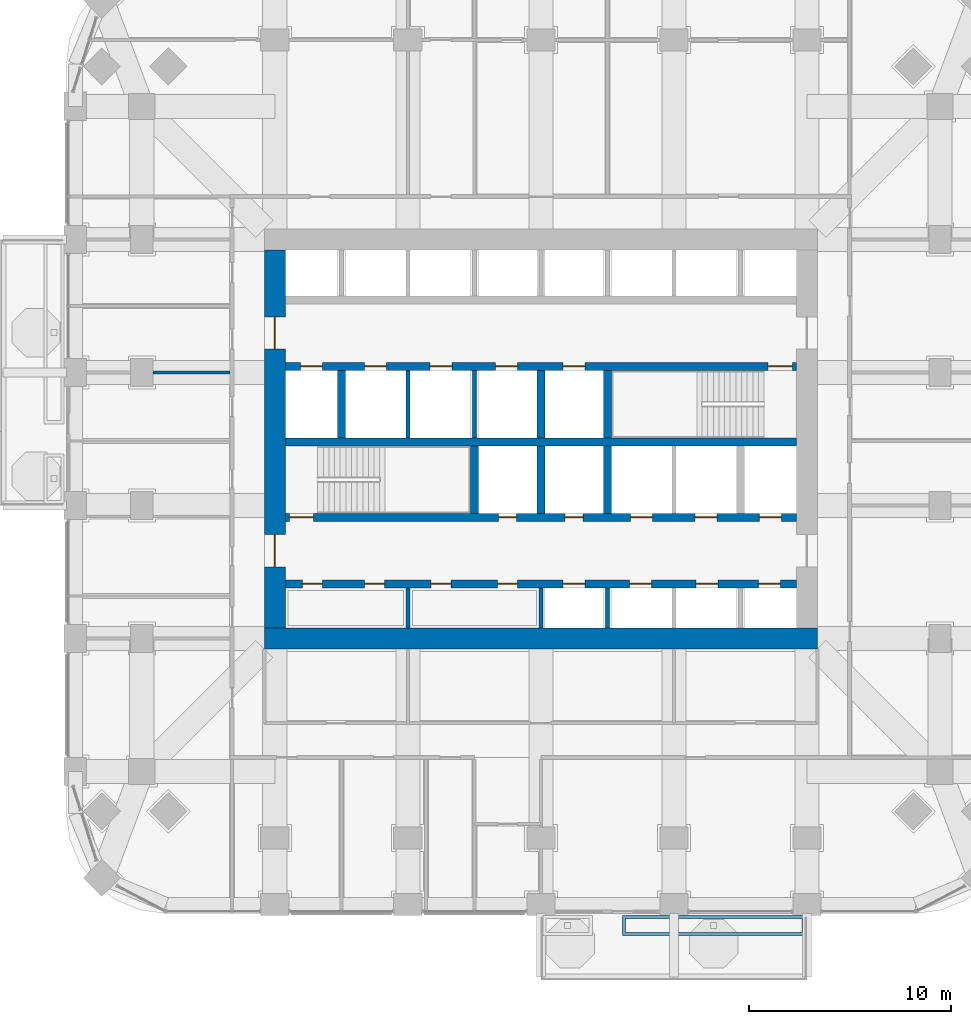
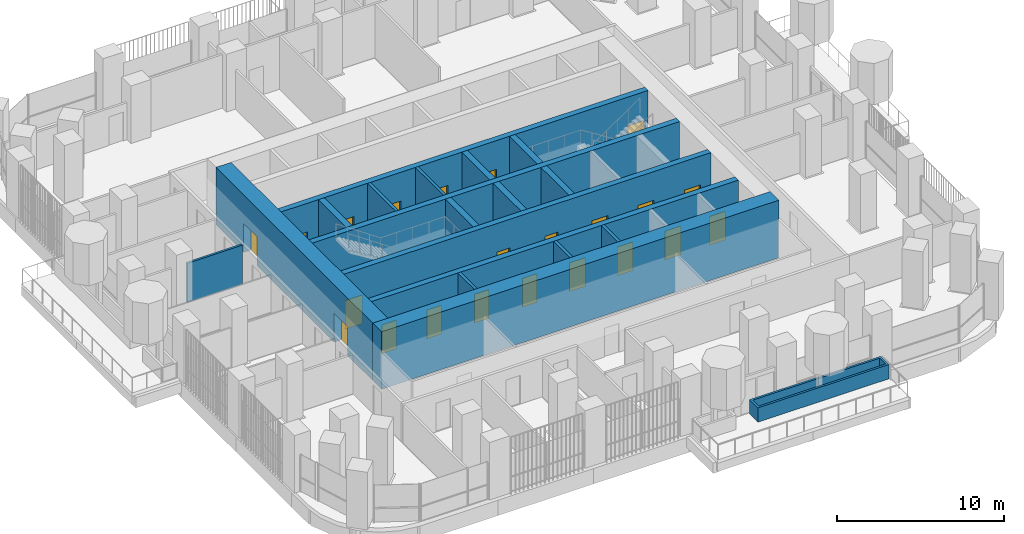
# One storey, part 15 of 22: 22 doors, 19 walls, 22 openings.
"""IFC4 building model written with IfcOpenShell, lengths in metres."""

from ifc_helpers import new_model, si_unit, direction, frame, frame_2d, origin, place, context, subcontext, project, spatial, polyline, rectangle, outline, extrude, material, layer, layer_set, type_object, element, fill, save


model = new_model("IFC4")

# Units and contexts
model_context = context("Model", 3, precision=1e-05, world=origin(), true_north=direction((0.0, 1.0)))
body_context = subcontext(model_context, "Body", "Model", "MODEL_VIEW")
ifc_project = project(units=[si_unit("LENGTHUNIT", "METRE"), si_unit("AREAUNIT", "SQUARE_METRE"), si_unit("VOLUMEUNIT", "CUBIC_METRE"), si_unit("PLANEANGLEUNIT", "RADIAN"), si_unit("MASSUNIT", "GRAM", prefix="KILO")], contexts=[model_context])

# Site, building, storey
site_placement = place(None, origin())
site = spatial("IfcSite", under=ifc_project, at=site_placement, CompositionType="ELEMENT")
building_placement = place(site_placement, origin())
building = spatial("IfcBuilding", under=site, at=building_placement, Name="Cobogo Forest Laboratory Tower", CompositionType="ELEMENT")
storey_placement = place(building_placement, frame((0.0, 0.0, 111.60009765625)))
storey = spatial("IfcBuildingStorey", under=building, at=storey_placement, Name="L25", CompositionType="ELEMENT", Elevation=111.60009765625)

# Wall, openings, doors
ifc_material_1 = material(Name="Concrete HA-50 (C50/60)", Category="concrete")
ifc_layer_1 = layer(ifc_material_1, 0.39990234375)
ifc_layer_set_1 = layer_set([ifc_layer_1], Name="CI400 core inner wall 400")
wall_type_1 = type_object("IfcWallType", Name="CI400 core inner wall 400", PredefinedType="SHEAR", material=ifc_layer_set_1)
wall_1_placement = place(storey_placement, frame((13.72509765625, 15.89990234375, 0.0), z_axis=(0.0, 0.0, 1.0), x_axis=(1.0, 0.0, 0.0)))
wall_1 = element("IfcWall", 1, at=wall_1_placement, inside=storey, type_object=wall_type_1, Name="Core wall CI-15.9 L25", PredefinedType="SHEAR", context=body_context, shape_type="SweptSolid", body=[
    extrude(rectangle(XDim=25.349853515625, YDim=0.39990234375, at=frame_2d((12.6748046875, 0.0))), origin(), (0.0, 0.0, 1.0), 4.199951171875),
])
opening_1_placement = place(wall_1_placement, frame((0.83740234375, 0.0, 0.0)))
opening_1 = element("IfcOpeningElement", 2, at=opening_1_placement, cuts=wall_1, Name="Opening L25-D13", PredefinedType="OPENING", context=body_context, shape_type="SweptSolid", body=[
    extrude(rectangle(XDim=1.0, YDim=2.10009765625, at=frame_2d((0.5, 1.050048828125))), frame((0.0, 0.2099609375, 0.0), z_axis=(0.0, -1.0, 0.0), x_axis=(1.0, 0.0, 0.0)), (0.0, 0.0, 1.0), 0.419921875),
])
opening_2_placement = place(wall_1_placement, frame((3.925048828125, 0.0, 0.0)))
opening_2 = element("IfcOpeningElement", 3, at=opening_2_placement, cuts=wall_1, Name="Opening L25-D14", PredefinedType="OPENING", context=body_context, shape_type="SweptSolid", body=[
    extrude(rectangle(XDim=1.0, YDim=2.10009765625, at=frame_2d((0.5, 1.050048828125))), frame((0.0, 0.2099609375, 0.0), z_axis=(0.0, -1.0, 0.0), x_axis=(1.0, 0.0, 0.0)), (0.0, 0.0, 1.0), 0.419921875),
])
opening_3_placement = place(wall_1_placement, frame((7.22509765625, 0.0, 0.0)))
opening_3 = element("IfcOpeningElement", 4, at=opening_3_placement, cuts=wall_1, Name="Opening L25-D15", PredefinedType="OPENING", context=body_context, shape_type="SweptSolid", body=[
    extrude(rectangle(XDim=1.0, YDim=2.10009765625, at=frame_2d((0.5, 1.050048828125))), frame((0.0, 0.2099609375, 0.0), z_axis=(0.0, -1.0, 0.0), x_axis=(1.0, 0.0, 0.0)), (0.0, 0.0, 1.0), 0.419921875),
])
opening_4_placement = place(wall_1_placement, frame((10.52490234375, 0.0, 0.0)))
opening_4 = element("IfcOpeningElement", 5, at=opening_4_placement, cuts=wall_1, Name="Opening L25-D16", PredefinedType="OPENING", context=body_context, shape_type="SweptSolid", body=[
    extrude(rectangle(XDim=1.0, YDim=2.10009765625, at=frame_2d((0.5, 1.050048828125))), frame((0.0, 0.2099609375, 0.0), z_axis=(0.0, -1.0, 0.0), x_axis=(1.0, 0.0, 0.0)), (0.0, 0.0, 1.0), 0.419921875),
])
opening_5_placement = place(wall_1_placement, frame((13.77490234375, 0.0, 0.0)))
opening_5 = element("IfcOpeningElement", 6, at=opening_5_placement, cuts=wall_1, Name="Opening L25-LD-LB1", PredefinedType="OPENING", context=body_context, shape_type="SweptSolid", body=[
    extrude(rectangle(XDim=1.10009765625, YDim=2.10009765625, at=frame_2d((0.550048828125, 1.050048828125))), frame((0.0, 0.2099609375, 0.0), z_axis=(0.0, -1.0, 0.0), x_axis=(1.0, 0.0, 0.0)), (0.0, 0.0, 1.0), 0.419921875),
])
opening_6_placement = place(wall_1_placement, frame((17.074951171875, 0.0, 0.0)))
opening_6 = element("IfcOpeningElement", 7, at=opening_6_placement, cuts=wall_1, Name="Opening L25-LD-LB2", PredefinedType="OPENING", context=body_context, shape_type="SweptSolid", body=[
    extrude(rectangle(XDim=1.10009765625, YDim=2.10009765625, at=frame_2d((0.550048828125, 1.050048828125))), frame((0.0, 0.2099609375, 0.0), z_axis=(0.0, -1.0, 0.0), x_axis=(1.0, 0.0, 0.0)), (0.0, 0.0, 1.0), 0.419921875),
])
opening_7_placement = place(wall_1_placement, frame((20.375, 0.0, 0.0)))
opening_7 = element("IfcOpeningElement", 8, at=opening_7_placement, cuts=wall_1, Name="Opening L25-LD-LB3", PredefinedType="OPENING", context=body_context, shape_type="SweptSolid", body=[
    extrude(rectangle(XDim=1.10009765625, YDim=2.10009765625, at=frame_2d((0.550048828125, 1.050048828125))), frame((0.0, 0.2099609375, 0.0), z_axis=(0.0, -1.0, 0.0), x_axis=(1.0, 0.0, 0.0)), (0.0, 0.0, 1.0), 0.419921875),
])
opening_8_placement = place(wall_1_placement, frame((23.46240234375, 0.0, 0.0)))
opening_8 = element("IfcOpeningElement", 9, at=opening_8_placement, cuts=wall_1, Name="Opening L25-LD-LB4", PredefinedType="OPENING", context=body_context, shape_type="SweptSolid", body=[
    extrude(rectangle(XDim=1.10009765625, YDim=2.10009765625, at=frame_2d((0.550048828125, 1.050048828125))), frame((0.0, 0.2099609375, 0.0), z_axis=(0.0, -1.0, 0.0), x_axis=(1.0, 0.0, 0.0)), (0.0, 0.0, 1.0), 0.419921875),
])
ifc_material_2 = material(Name="Steel fire door", Category="steel")
door_type_1 = type_object("IfcDoorType", Name="FD1 fire door 1000 EI2 60", OperationType="SINGLE_SWING_LEFT", PredefinedType="DOOR", material=ifc_material_2)
door_1_placement = place(opening_1_placement, origin())
door_1 = element("IfcDoor", 10, at=door_1_placement, inside=storey, type_object=door_type_1, Name="Door L25-SH-LA1", OperationType="SINGLE_SWING_LEFT", OverallHeight=2.10009765625, OverallWidth=1.0, PredefinedType="DOOR", context=body_context, shape_type="SweptSolid", body=[
    extrude(rectangle(XDim=1.0, YDim=2.10009765625, at=frame_2d((0.5, 1.050048828125))), frame((0.0, 0.02490234375, 0.0), z_axis=(0.0, -1.0, 0.0), x_axis=(1.0, 0.0, 0.0)), (0.0, 0.0, 1.0), 0.050048828125),
])
fill(opening_1, door_1)
door_2_placement = place(opening_2_placement, origin())
door_2 = element("IfcDoor", 11, at=door_2_placement, inside=storey, type_object=door_type_1, Name="Door L25-SH-LA2", OperationType="SINGLE_SWING_LEFT", OverallHeight=2.10009765625, OverallWidth=1.0, PredefinedType="DOOR", context=body_context, shape_type="SweptSolid", body=[
    extrude(rectangle(XDim=1.0, YDim=2.10009765625, at=frame_2d((0.5, 1.050048828125))), frame((0.0, 0.02490234375, 0.0), z_axis=(0.0, -1.0, 0.0), x_axis=(1.0, 0.0, 0.0)), (0.0, 0.0, 1.0), 0.050048828125),
])
fill(opening_2, door_2)
door_3_placement = place(opening_3_placement, origin())
door_3 = element("IfcDoor", 12, at=door_3_placement, inside=storey, type_object=door_type_1, Name="Door L25-SH-LA3", OperationType="SINGLE_SWING_LEFT", OverallHeight=2.10009765625, OverallWidth=1.0, PredefinedType="DOOR", context=body_context, shape_type="SweptSolid", body=[
    extrude(rectangle(XDim=1.0, YDim=2.10009765625, at=frame_2d((0.5, 1.050048828125))), frame((0.0, 0.02490234375, 0.0), z_axis=(0.0, -1.0, 0.0), x_axis=(1.0, 0.0, 0.0)), (0.0, 0.0, 1.0), 0.050048828125),
])
fill(opening_3, door_3)
door_4_placement = place(opening_4_placement, origin())
door_4 = element("IfcDoor", 13, at=door_4_placement, inside=storey, type_object=door_type_1, Name="Door L25-SH-LA4", OperationType="SINGLE_SWING_LEFT", OverallHeight=2.10009765625, OverallWidth=1.0, PredefinedType="DOOR", context=body_context, shape_type="SweptSolid", body=[
    extrude(rectangle(XDim=1.0, YDim=2.10009765625, at=frame_2d((0.5, 1.050048828125))), frame((0.0, 0.02490234375, 0.0), z_axis=(0.0, -1.0, 0.0), x_axis=(1.0, 0.0, 0.0)), (0.0, 0.0, 1.0), 0.050048828125),
])
fill(opening_4, door_4)
ifc_material_3 = material(Name="Stainless steel lift door", Category="steel")
door_type_2 = type_object("IfcDoorType", Name="LD lift landing door 1100", OperationType="DOUBLE_DOOR_SLIDING", PredefinedType="DOOR", material=ifc_material_3)
door_5_placement = place(opening_5_placement, origin())
door_5 = element("IfcDoor", 14, at=door_5_placement, inside=storey, type_object=door_type_2, Name="Lift landing door LB1 L25", OperationType="DOUBLE_DOOR_SLIDING", OverallHeight=2.10009765625, OverallWidth=1.10009765625, PredefinedType="DOOR", context=body_context, shape_type="SweptSolid", body=[
    extrude(rectangle(XDim=1.10009765625, YDim=2.10009765625, at=frame_2d((0.550048828125, 1.050048828125))), frame((0.0, 0.02490234375, 0.0), z_axis=(0.0, -1.0, 0.0), x_axis=(1.0, 0.0, 0.0)), (0.0, 0.0, 1.0), 0.050048828125),
])
fill(opening_5, door_5)
door_6_placement = place(opening_6_placement, origin())
door_6 = element("IfcDoor", 15, at=door_6_placement, inside=storey, type_object=door_type_2, Name="Lift landing door LB2 L25", OperationType="DOUBLE_DOOR_SLIDING", OverallHeight=2.10009765625, OverallWidth=1.10009765625, PredefinedType="DOOR", context=body_context, shape_type="SweptSolid", body=[
    extrude(rectangle(XDim=1.10009765625, YDim=2.10009765625, at=frame_2d((0.550048828125, 1.050048828125))), frame((0.0, 0.02490234375, 0.0), z_axis=(0.0, -1.0, 0.0), x_axis=(1.0, 0.0, 0.0)), (0.0, 0.0, 1.0), 0.050048828125),
])
fill(opening_6, door_6)
door_7_placement = place(opening_7_placement, origin())
door_7 = element("IfcDoor", 16, at=door_7_placement, inside=storey, type_object=door_type_2, Name="Lift landing door LB3 L25", OperationType="DOUBLE_DOOR_SLIDING", OverallHeight=2.10009765625, OverallWidth=1.10009765625, PredefinedType="DOOR", context=body_context, shape_type="SweptSolid", body=[
    extrude(rectangle(XDim=1.10009765625, YDim=2.10009765625, at=frame_2d((0.550048828125, 1.050048828125))), frame((0.0, 0.02490234375, 0.0), z_axis=(0.0, -1.0, 0.0), x_axis=(1.0, 0.0, 0.0)), (0.0, 0.0, 1.0), 0.050048828125),
])
fill(opening_7, door_7)
door_8_placement = place(opening_8_placement, origin())
door_8 = element("IfcDoor", 17, at=door_8_placement, inside=storey, type_object=door_type_2, Name="Lift landing door LB4 L25", OperationType="DOUBLE_DOOR_SLIDING", OverallHeight=2.10009765625, OverallWidth=1.10009765625, PredefinedType="DOOR", context=body_context, shape_type="SweptSolid", body=[
    extrude(rectangle(XDim=1.10009765625, YDim=2.10009765625, at=frame_2d((0.550048828125, 1.050048828125))), frame((0.0, 0.02490234375, 0.0), z_axis=(0.0, -1.0, 0.0), x_axis=(1.0, 0.0, 0.0)), (0.0, 0.0, 1.0), 0.050048828125),
])
fill(opening_8, door_8)

wall_2_placement = place(storey_placement, frame((13.72509765625, 19.199951171875, 0.0), z_axis=(0.0, 0.0, 1.0), x_axis=(1.0, 0.0, 0.0)))
wall_2 = element("IfcWall", 18, at=wall_2_placement, inside=storey, type_object=wall_type_1, Name="Core wall CI-19.2 L25", PredefinedType="SHEAR", context=body_context, shape_type="SweptSolid", body=[
    extrude(rectangle(XDim=25.349853515625, YDim=0.39990234375, at=frame_2d((12.6748046875, 0.0))), origin(), (0.0, 0.0, 1.0), 4.199951171875),
])
opening_9_placement = place(wall_2_placement, frame((10.574951171875, 0.0, 0.0)))
opening_9 = element("IfcOpeningElement", 19, at=opening_9_placement, cuts=wall_2, Name="Opening L25-D21", PredefinedType="OPENING", context=body_context, shape_type="SweptSolid", body=[
    extrude(rectangle(XDim=0.89990234375, YDim=2.10009765625, at=frame_2d((0.449951171875, 1.050048828125))), frame((0.0, 0.2099609375, 0.0), z_axis=(0.0, -1.0, 0.0), x_axis=(1.0, 0.0, 0.0)), (0.0, 0.0, 1.0), 0.419921875),
])
opening_10_placement = place(wall_2_placement, frame((13.875, 0.0, 0.0)))
opening_10 = element("IfcOpeningElement", 20, at=opening_10_placement, cuts=wall_2, Name="Opening L25-D22", PredefinedType="OPENING", context=body_context, shape_type="SweptSolid", body=[
    extrude(rectangle(XDim=0.89990234375, YDim=2.10009765625, at=frame_2d((0.449951171875, 1.050048828125))), frame((0.0, 0.2099609375, 0.0), z_axis=(0.0, -1.0, 0.0), x_axis=(1.0, 0.0, 0.0)), (0.0, 0.0, 1.0), 0.419921875),
])
opening_11_placement = place(wall_2_placement, frame((0.199951171875, 0.0, 0.0)))
opening_11 = element("IfcOpeningElement", 21, at=opening_11_placement, cuts=wall_2, Name="Opening L25-D20", PredefinedType="OPENING", context=body_context, shape_type="SweptSolid", body=[
    extrude(rectangle(XDim=1.199951171875, YDim=2.10009765625, at=frame_2d((0.60009765625, 1.050048828125))), frame((0.0, 0.2099609375, 0.0), z_axis=(0.0, -1.0, 0.0), x_axis=(1.0, 0.0, 0.0)), (0.0, 0.0, 1.0), 0.419921875),
])
opening_12_placement = place(wall_2_placement, frame((23.512451171875, 0.0, 0.0)))
opening_12 = element("IfcOpeningElement", 22, at=opening_12_placement, cuts=wall_2, Name="Opening L25-LD-FL2", PredefinedType="OPENING", context=body_context, shape_type="SweptSolid", body=[
    extrude(rectangle(XDim=1.10009765625, YDim=2.10009765625, at=frame_2d((0.550048828125, 1.050048828125))), frame((0.0, 0.2099609375, 0.0), z_axis=(0.0, -1.0, 0.0), x_axis=(1.0, 0.0, 0.0)), (0.0, 0.0, 1.0), 0.419921875),
])
opening_13_placement = place(wall_2_placement, frame((17.125, 0.0, 0.0)))
opening_13 = element("IfcOpeningElement", 23, at=opening_13_placement, cuts=wall_2, Name="Opening L25-LD-LS1", PredefinedType="OPENING", context=body_context, shape_type="SweptSolid", body=[
    extrude(rectangle(XDim=1.10009765625, YDim=2.10009765625, at=frame_2d((0.550048828125, 1.050048828125))), frame((0.0, 0.2099609375, 0.0), z_axis=(0.0, -1.0, 0.0), x_axis=(1.0, 0.0, 0.0)), (0.0, 0.0, 1.0), 0.419921875),
])
opening_14_placement = place(wall_2_placement, frame((20.324951171875, 0.0, 0.0)))
opening_14 = element("IfcOpeningElement", 24, at=opening_14_placement, cuts=wall_2, Name="Opening L25-LD-LS2", PredefinedType="OPENING", context=body_context, shape_type="SweptSolid", body=[
    extrude(rectangle(XDim=1.10009765625, YDim=2.10009765625, at=frame_2d((0.550048828125, 1.050048828125))), frame((0.0, 0.2099609375, 0.0), z_axis=(0.0, -1.0, 0.0), x_axis=(1.0, 0.0, 0.0)), (0.0, 0.0, 1.0), 0.419921875),
])
door_type_3 = type_object("IfcDoorType", Name="DS1 protected stair door 1200 EI2 60", OperationType="SINGLE_SWING_LEFT", PredefinedType="DOOR", material=ifc_material_2)
door_9_placement = place(opening_11_placement, origin())
door_9 = element("IfcDoor", 25, at=door_9_placement, inside=storey, type_object=door_type_3, Name="Door L25-ST1", OperationType="SINGLE_SWING_LEFT", OverallHeight=2.10009765625, OverallWidth=1.199951171875, PredefinedType="DOOR", context=body_context, shape_type="SweptSolid", body=[
    extrude(rectangle(XDim=1.199951171875, YDim=2.10009765625, at=frame_2d((0.60009765625, 1.050048828125))), frame((0.0, 0.02490234375, 0.0), z_axis=(0.0, -1.0, 0.0), x_axis=(1.0, 0.0, 0.0)), (0.0, 0.0, 1.0), 0.050048828125),
])
fill(opening_11, door_9)
door_type_4 = type_object("IfcDoorType", Name="FD4 riser access door 900 EI2 60", OperationType="SINGLE_SWING_LEFT", PredefinedType="DOOR", material=ifc_material_2)
door_10_placement = place(opening_9_placement, origin())
door_10 = element("IfcDoor", 26, at=door_10_placement, inside=storey, type_object=door_type_4, Name="Door L25-R1", OperationType="SINGLE_SWING_LEFT", OverallHeight=2.10009765625, OverallWidth=0.89990234375, PredefinedType="DOOR", context=body_context, shape_type="SweptSolid", body=[
    extrude(rectangle(XDim=0.89990234375, YDim=2.10009765625, at=frame_2d((0.449951171875, 1.050048828125))), frame((0.0, 0.02490234375, 0.0), z_axis=(0.0, -1.0, 0.0), x_axis=(1.0, 0.0, 0.0)), (0.0, 0.0, 1.0), 0.050048828125),
])
fill(opening_9, door_10)
door_11_placement = place(opening_10_placement, origin())
door_11 = element("IfcDoor", 27, at=door_11_placement, inside=storey, type_object=door_type_4, Name="Door L25-R2", OperationType="SINGLE_SWING_RIGHT", OverallHeight=2.10009765625, OverallWidth=0.89990234375, PredefinedType="DOOR", context=body_context, shape_type="SweptSolid", body=[
    extrude(rectangle(XDim=0.89990234375, YDim=2.10009765625, at=frame_2d((0.449951171875, 1.050048828125))), frame((0.0, 0.02490234375, 0.0), z_axis=(0.0, -1.0, 0.0), x_axis=(1.0, 0.0, 0.0)), (0.0, 0.0, 1.0), 0.050048828125),
])
fill(opening_10, door_11)
door_12_placement = place(opening_12_placement, origin())
door_12 = element("IfcDoor", 28, at=door_12_placement, inside=storey, type_object=door_type_2, Name="Lift landing door FL2 L25", OperationType="DOUBLE_DOOR_SLIDING", OverallHeight=2.10009765625, OverallWidth=1.10009765625, PredefinedType="DOOR", context=body_context, shape_type="SweptSolid", body=[
    extrude(rectangle(XDim=1.10009765625, YDim=2.10009765625, at=frame_2d((0.550048828125, 1.050048828125))), frame((0.0, 0.02490234375, 0.0), z_axis=(0.0, -1.0, 0.0), x_axis=(1.0, 0.0, 0.0)), (0.0, 0.0, 1.0), 0.050048828125),
])
fill(opening_12, door_12)
door_13_placement = place(opening_13_placement, origin())
door_13 = element("IfcDoor", 29, at=door_13_placement, inside=storey, type_object=door_type_2, Name="Lift landing door LS1 L25", OperationType="DOUBLE_DOOR_SLIDING", OverallHeight=2.10009765625, OverallWidth=1.10009765625, PredefinedType="DOOR", context=body_context, shape_type="SweptSolid", body=[
    extrude(rectangle(XDim=1.10009765625, YDim=2.10009765625, at=frame_2d((0.550048828125, 1.050048828125))), frame((0.0, 0.02490234375, 0.0), z_axis=(0.0, -1.0, 0.0), x_axis=(1.0, 0.0, 0.0)), (0.0, 0.0, 1.0), 0.050048828125),
])
fill(opening_13, door_13)
door_14_placement = place(opening_14_placement, origin())
door_14 = element("IfcDoor", 30, at=door_14_placement, inside=storey, type_object=door_type_2, Name="Lift landing door LS2 L25", OperationType="DOUBLE_DOOR_SLIDING", OverallHeight=2.10009765625, OverallWidth=1.10009765625, PredefinedType="DOOR", context=body_context, shape_type="SweptSolid", body=[
    extrude(rectangle(XDim=1.10009765625, YDim=2.10009765625, at=frame_2d((0.550048828125, 1.050048828125))), frame((0.0, 0.02490234375, 0.0), z_axis=(0.0, -1.0, 0.0), x_axis=(1.0, 0.0, 0.0)), (0.0, 0.0, 1.0), 0.050048828125),
])
fill(opening_14, door_14)

# Wall
wall_3_placement = place(storey_placement, frame((13.72509765625, 22.949951171875, 0.0), z_axis=(0.0, 0.0, 1.0), x_axis=(1.0, 0.0, 0.0)))
element("IfcWall", 31, at=wall_3_placement, inside=storey, type_object=wall_type_1, Name="Core wall CI-22.95 L25", PredefinedType="SHEAR", context=body_context, shape_type="SweptSolid", body=[
    extrude(rectangle(XDim=25.349853515625, YDim=0.39990234375, at=frame_2d((12.6748046875, 0.0))), origin(), (0.0, 0.0, 1.0), 4.199951171875),
])

# Wall, openings, doors
wall_4_placement = place(storey_placement, frame((13.72509765625, 26.699951171875, 0.0), z_axis=(0.0, 0.0, 1.0), x_axis=(1.0, 0.0, 0.0)))
wall_4 = element("IfcWall", 32, at=wall_4_placement, inside=storey, type_object=wall_type_1, Name="Core wall CI-26.7 L25", PredefinedType="SHEAR", context=body_context, shape_type="SweptSolid", body=[
    extrude(rectangle(XDim=25.349853515625, YDim=0.39990234375, at=frame_2d((12.6748046875, 0.0))), origin(), (0.0, 0.0, 1.0), 4.199951171875),
])
opening_15_placement = place(wall_4_placement, frame((23.949951171875, 0.0, 0.0)))
opening_15 = element("IfcOpeningElement", 33, at=opening_15_placement, cuts=wall_4, Name="Opening L25-D29", PredefinedType="OPENING", context=body_context, shape_type="SweptSolid", body=[
    extrude(rectangle(XDim=1.199951171875, YDim=2.10009765625, at=frame_2d((0.60009765625, 1.050048828125))), frame((0.0, 0.2099609375, 0.0), z_axis=(0.0, -1.0, 0.0), x_axis=(1.0, 0.0, 0.0)), (0.0, 0.0, 1.0), 0.419921875),
])
opening_16_placement = place(wall_4_placement, frame((0.737548828125, 0.0, 0.0)))
opening_16 = element("IfcOpeningElement", 34, at=opening_16_placement, cuts=wall_4, Name="Opening L25-LD-FL1", PredefinedType="OPENING", context=body_context, shape_type="SweptSolid", body=[
    extrude(rectangle(XDim=1.10009765625, YDim=2.10009765625, at=frame_2d((0.550048828125, 1.050048828125))), frame((0.0, 0.2099609375, 0.0), z_axis=(0.0, -1.0, 0.0), x_axis=(1.0, 0.0, 0.0)), (0.0, 0.0, 1.0), 0.419921875),
])
opening_17_placement = place(wall_4_placement, frame((3.925048828125, 0.0, 0.0)))
opening_17 = element("IfcOpeningElement", 35, at=opening_17_placement, cuts=wall_4, Name="Opening L25-LD-LS3", PredefinedType="OPENING", context=body_context, shape_type="SweptSolid", body=[
    extrude(rectangle(XDim=1.10009765625, YDim=2.10009765625, at=frame_2d((0.550048828125, 1.050048828125))), frame((0.0, 0.2099609375, 0.0), z_axis=(0.0, -1.0, 0.0), x_axis=(1.0, 0.0, 0.0)), (0.0, 0.0, 1.0), 0.419921875),
])
opening_18_placement = place(wall_4_placement, frame((7.175048828125, 0.0, 0.0)))
opening_18 = element("IfcOpeningElement", 36, at=opening_18_placement, cuts=wall_4, Name="Opening L25-LD-LS4", PredefinedType="OPENING", context=body_context, shape_type="SweptSolid", body=[
    extrude(rectangle(XDim=1.10009765625, YDim=2.10009765625, at=frame_2d((0.550048828125, 1.050048828125))), frame((0.0, 0.2099609375, 0.0), z_axis=(0.0, -1.0, 0.0), x_axis=(1.0, 0.0, 0.0)), (0.0, 0.0, 1.0), 0.419921875),
])
opening_19_placement = place(wall_4_placement, frame((10.425048828125, 0.0, 0.0)))
opening_19 = element("IfcOpeningElement", 37, at=opening_19_placement, cuts=wall_4, Name="Opening L25-LD-LS5", PredefinedType="OPENING", context=body_context, shape_type="SweptSolid", body=[
    extrude(rectangle(XDim=1.10009765625, YDim=2.10009765625, at=frame_2d((0.550048828125, 1.050048828125))), frame((0.0, 0.2099609375, 0.0), z_axis=(0.0, -1.0, 0.0), x_axis=(1.0, 0.0, 0.0)), (0.0, 0.0, 1.0), 0.419921875),
])
opening_20_placement = place(wall_4_placement, frame((13.77490234375, 0.0, 0.0)))
opening_20 = element("IfcOpeningElement", 38, at=opening_20_placement, cuts=wall_4, Name="Opening L25-LD-LS6", PredefinedType="OPENING", context=body_context, shape_type="SweptSolid", body=[
    extrude(rectangle(XDim=1.10009765625, YDim=2.10009765625, at=frame_2d((0.550048828125, 1.050048828125))), frame((0.0, 0.2099609375, 0.0), z_axis=(0.0, -1.0, 0.0), x_axis=(1.0, 0.0, 0.0)), (0.0, 0.0, 1.0), 0.419921875),
])
door_15_placement = place(opening_15_placement, origin())
door_15 = element("IfcDoor", 39, at=door_15_placement, inside=storey, type_object=door_type_3, Name="Door L25-ST2", OperationType="SINGLE_SWING_RIGHT", OverallHeight=2.10009765625, OverallWidth=1.199951171875, PredefinedType="DOOR", context=body_context, shape_type="SweptSolid", body=[
    extrude(rectangle(XDim=1.199951171875, YDim=2.10009765625, at=frame_2d((0.60009765625, 1.050048828125))), frame((0.0, 0.02490234375, 0.0), z_axis=(0.0, -1.0, 0.0), x_axis=(1.0, 0.0, 0.0)), (0.0, 0.0, 1.0), 0.050048828125),
])
fill(opening_15, door_15)
door_16_placement = place(opening_16_placement, origin())
door_16 = element("IfcDoor", 40, at=door_16_placement, inside=storey, type_object=door_type_2, Name="Lift landing door FL1 L25", OperationType="DOUBLE_DOOR_SLIDING", OverallHeight=2.10009765625, OverallWidth=1.10009765625, PredefinedType="DOOR", context=body_context, shape_type="SweptSolid", body=[
    extrude(rectangle(XDim=1.10009765625, YDim=2.10009765625, at=frame_2d((0.550048828125, 1.050048828125))), frame((0.0, 0.02490234375, 0.0), z_axis=(0.0, -1.0, 0.0), x_axis=(1.0, 0.0, 0.0)), (0.0, 0.0, 1.0), 0.050048828125),
])
fill(opening_16, door_16)
door_17_placement = place(opening_17_placement, origin())
door_17 = element("IfcDoor", 41, at=door_17_placement, inside=storey, type_object=door_type_2, Name="Lift landing door LS3 L25", OperationType="DOUBLE_DOOR_SLIDING", OverallHeight=2.10009765625, OverallWidth=1.10009765625, PredefinedType="DOOR", context=body_context, shape_type="SweptSolid", body=[
    extrude(rectangle(XDim=1.10009765625, YDim=2.10009765625, at=frame_2d((0.550048828125, 1.050048828125))), frame((0.0, 0.02490234375, 0.0), z_axis=(0.0, -1.0, 0.0), x_axis=(1.0, 0.0, 0.0)), (0.0, 0.0, 1.0), 0.050048828125),
])
fill(opening_17, door_17)
door_18_placement = place(opening_18_placement, origin())
door_18 = element("IfcDoor", 42, at=door_18_placement, inside=storey, type_object=door_type_2, Name="Lift landing door LS4 L25", OperationType="DOUBLE_DOOR_SLIDING", OverallHeight=2.10009765625, OverallWidth=1.10009765625, PredefinedType="DOOR", context=body_context, shape_type="SweptSolid", body=[
    extrude(rectangle(XDim=1.10009765625, YDim=2.10009765625, at=frame_2d((0.550048828125, 1.050048828125))), frame((0.0, 0.02490234375, 0.0), z_axis=(0.0, -1.0, 0.0), x_axis=(1.0, 0.0, 0.0)), (0.0, 0.0, 1.0), 0.050048828125),
])
fill(opening_18, door_18)
door_19_placement = place(opening_19_placement, origin())
door_19 = element("IfcDoor", 43, at=door_19_placement, inside=storey, type_object=door_type_2, Name="Lift landing door LS5 L25", OperationType="DOUBLE_DOOR_SLIDING", OverallHeight=2.10009765625, OverallWidth=1.10009765625, PredefinedType="DOOR", context=body_context, shape_type="SweptSolid", body=[
    extrude(rectangle(XDim=1.10009765625, YDim=2.10009765625, at=frame_2d((0.550048828125, 1.050048828125))), frame((0.0, 0.02490234375, 0.0), z_axis=(0.0, -1.0, 0.0), x_axis=(1.0, 0.0, 0.0)), (0.0, 0.0, 1.0), 0.050048828125),
])
fill(opening_19, door_19)
door_20_placement = place(opening_20_placement, origin())
door_20 = element("IfcDoor", 44, at=door_20_placement, inside=storey, type_object=door_type_2, Name="Lift landing door LS6 L25", OperationType="DOUBLE_DOOR_SLIDING", OverallHeight=2.10009765625, OverallWidth=1.10009765625, PredefinedType="DOOR", context=body_context, shape_type="SweptSolid", body=[
    extrude(rectangle(XDim=1.10009765625, YDim=2.10009765625, at=frame_2d((0.550048828125, 1.050048828125))), frame((0.0, 0.02490234375, 0.0), z_axis=(0.0, -1.0, 0.0), x_axis=(1.0, 0.0, 0.0)), (0.0, 0.0, 1.0), 0.050048828125),
])
fill(opening_20, door_20)

# Walls
for number, where, z_axis, x_axis, name in (
    (45, (23.10009765625, 19.39990234375, 0.0), (0.0, 0.0, 1.0), (0.0, 1.0, 0.0), "Core wall CX-23.1 L25"),
    (46, (26.39990234375, 19.39990234375, 0.0), (0.0, 0.0, 1.0), (0.0, 1.0, 0.0), "Core wall CX-26.4S L25"),
    (47, (29.699951171875, 19.39990234375, 0.0), (0.0, 0.0, 1.0), (0.0, 1.0, 0.0), "Core wall CX-29.7S L25"),
    (48, (16.5, 23.14990234375, 0.0), (0.0, 0.0, 1.0), (0.0, 1.0, 0.0), "Core wall CX-16.5 L25"),
    (49, (26.39990234375, 23.14990234375, 0.0), (0.0, 0.0, 1.0), (0.0, 1.0, 0.0), "Core wall CX-26.4N L25"),
    (50, (29.699951171875, 23.14990234375, 0.0), (0.0, 0.0, 1.0), (0.0, 1.0, 0.0), "Core wall CX-29.7N L25"),
):
    element("IfcWall", number, at=place(storey_placement, frame(where, z_axis=z_axis, x_axis=x_axis)), inside=storey, type_object=wall_type_1, Name=name, PredefinedType="SHEAR", context=body_context, shape_type="SweptSolid", body=[
        extrude(rectangle(XDim=3.35009765625, YDim=0.39990234375, at=frame_2d((1.675048828125, 0.0))), origin(), (0.0, 0.0, 1.0), 4.199951171875),
    ])
ifc_layer_2 = layer(ifc_material_1, 1.050048828125)
ifc_layer_set_2 = layer_set([ifc_layer_2], Name="CW1050 core outer wall 1050")
wall_type_2 = type_object("IfcWallType", Name="CW1050 core outer wall 1050", PredefinedType="SHEAR", material=ifc_layer_set_2)
wall_5_placement = place(storey_placement, frame((12.675048828125, 13.199951171875, 0.0), z_axis=(0.0, 0.0, 1.0), x_axis=(1.0, 0.0, 0.0)))
element("IfcWall", 51, at=wall_5_placement, inside=storey, type_object=wall_type_2, Name="Core wall CO-S L25", PredefinedType="SHEAR", context=body_context, shape_type="SweptSolid", body=[
    extrude(rectangle(XDim=27.449951171875, YDim=1.050048828125, at=frame_2d((13.72509765625, 0.0))), origin(), (0.0, 0.0, 1.0), 4.199951171875),
])

# Wall, openings, doors
wall_6_placement = place(storey_placement, frame((13.199951171875, 32.47509765625, 0.0), z_axis=(0.0, 0.0, 1.0), x_axis=(0.0, -1.0, 0.0)))
wall_6 = element("IfcWall", 52, at=wall_6_placement, inside=storey, type_object=wall_type_2, Name="Core wall CO-W L25", PredefinedType="SHEAR", context=body_context, shape_type="SweptSolid", body=[
    extrude(rectangle(XDim=18.75, YDim=1.050048828125, at=frame_2d((9.375, 0.0))), origin(), (0.0, 0.0, 1.0), 4.199951171875),
])
opening_21_placement = place(wall_6_placement, frame((14.125, 0.0, 0.0)))
opening_21 = element("IfcOpeningElement", 53, at=opening_21_placement, cuts=wall_6, Name="Opening L25-D18", PredefinedType="OPENING", context=body_context, shape_type="SweptSolid", body=[
    extrude(rectangle(XDim=1.60009765625, YDim=2.10009765625, at=frame_2d((0.800048828125, 1.050048828125))), frame((0.0, 0.534912109375, 0.0), z_axis=(0.0, -1.0, 0.0), x_axis=(1.0, 0.0, 0.0)), (0.0, 0.0, 1.0), 1.070068359375),
])
opening_22_placement = place(wall_6_placement, frame((3.324951171875, 0.0, 0.0)))
opening_22 = element("IfcOpeningElement", 54, at=opening_22_placement, cuts=wall_6, Name="Opening L25-D31", PredefinedType="OPENING", context=body_context, shape_type="SweptSolid", body=[
    extrude(rectangle(XDim=1.60009765625, YDim=2.10009765625, at=frame_2d((0.800048828125, 1.050048828125))), frame((0.0, 0.534912109375, 0.0), z_axis=(0.0, -1.0, 0.0), x_axis=(1.0, 0.0, 0.0)), (0.0, 0.0, 1.0), 1.070068359375),
])
door_type_5 = type_object("IfcDoorType", Name="DS2 protected lobby door pair 1600 EI2 60", OperationType="DOUBLE_DOOR_DOUBLE_SWING", PredefinedType="DOOR", material=ifc_material_2)
door_21_placement = place(opening_21_placement, origin())
door_21 = element("IfcDoor", 55, at=door_21_placement, inside=storey, type_object=door_type_5, Name="Door L25-CO-W-S", OperationType="DOUBLE_DOOR_DOUBLE_SWING", OverallHeight=2.10009765625, OverallWidth=1.60009765625, PredefinedType="DOOR", context=body_context, shape_type="SweptSolid", body=[
    extrude(rectangle(XDim=1.60009765625, YDim=2.10009765625, at=frame_2d((0.800048828125, 1.050048828125))), frame((0.0, 0.02490234375, 0.0), z_axis=(0.0, -1.0, 0.0), x_axis=(1.0, 0.0, 0.0)), (0.0, 0.0, 1.0), 0.050048828125),
])
fill(opening_21, door_21)
door_22_placement = place(opening_22_placement, origin())
door_22 = element("IfcDoor", 56, at=door_22_placement, inside=storey, type_object=door_type_5, Name="Door L25-CO-W-N", OperationType="DOUBLE_DOOR_DOUBLE_SWING", OverallHeight=2.10009765625, OverallWidth=1.60009765625, PredefinedType="DOOR", context=body_context, shape_type="SweptSolid", body=[
    extrude(rectangle(XDim=1.60009765625, YDim=2.10009765625, at=frame_2d((0.800048828125, 1.050048828125))), frame((0.0, 0.02490234375, 0.0), z_axis=(0.0, -1.0, 0.0), x_axis=(1.0, 0.0, 0.0)), (0.0, 0.0, 1.0), 0.050048828125),
])
fill(opening_22, door_22)

# Walls
ifc_material_4 = material(Name="Gypsum board on steel studs", Category="steel")
ifc_layer_3 = layer(ifc_material_4, 0.14990234375)
ifc_layer_set_3 = layer_set([ifc_layer_3], Name="PT1 laboratory partition 150")
wall_type_3 = type_object("IfcWallType", Name="PT1 laboratory partition 150", PredefinedType="PARTITIONING", material=ifc_layer_set_3)
wall_7_placement = place(storey_placement, frame((7.14990234375, 26.39990234375, 0.0), z_axis=(0.0, 0.0, 1.0), x_axis=(1.0, 0.0, 0.0)))
element("IfcWall", 57, at=wall_7_placement, inside=storey, type_object=wall_type_3, Name="Partition CUT-W26.4-2 L25", PredefinedType="PARTITIONING", context=body_context, shape_type="SweptSolid", body=[
    extrude(rectangle(XDim=3.8251953125, YDim=0.14990234375, at=frame_2d((1.91259765625, 0.0))), origin(), (0.0, 0.0, 1.0), 2.849853515625),
])
ifc_material_5 = material(Name="Concrete HA-40 (C40/50)", Category="concrete")
ifc_layer_4 = layer(ifc_material_5, 0.14990234375)
ifc_layer_set_4 = layer_set([ifc_layer_4], Name="Planter box 1000x1050")
wall_type_4 = type_object("IfcWallType", Name="Planter box 1000x1050", PredefinedType="USERDEFINED", material=ifc_layer_set_4)
wall_8_placement = place(storey_placement, origin())
element("IfcWall", 58, at=wall_8_placement, inside=storey, type_object=wall_type_4, Name="Planter BAL-S1-2 L25", ObjectType="PLANTER", PredefinedType="USERDEFINED", context=body_context, shape_type="SweptSolid", body=[
    extrude(outline(polyline([(30.449951171875, -1.550048828125), (39.5, -1.550048828125), (39.5, -0.550048828125), (30.449951171875, -0.550048828125), (30.449951171875, -1.550048828125)]), holes=[polyline([(30.60009765625, -1.39990234375), (39.35009765625, -1.39990234375), (39.35009765625, -0.699951171875), (30.60009765625, -0.699951171875), (30.60009765625, -1.39990234375)])]), origin(), (0.0, 0.0, 1.0), 1.0498046875),
])
ifc_material_6 = material(Name="Concrete block", Category="concrete")
ifc_layer_5 = layer(ifc_material_6, 0.199951171875)
ifc_layer_set_5 = layer_set([ifc_layer_5], Name="SW200 lift shaft separator 200")
wall_type_5 = type_object("IfcWallType", Name="SW200 lift shaft separator 200", PredefinedType="PARTITIONING", material=ifc_layer_set_5)
for number, where, z_axis, x_axis, name in (
    (59, (19.800048828125, 13.72509765625, 0.0), (0.0, 0.0, 1.0), (0.0, 1.0, 0.0), "Core wall SEP-S2 L25"),
    (60, (26.39990234375, 13.72509765625, 0.0), (0.0, 0.0, 1.0), (0.0, 1.0, 0.0), "Core wall SEP-S4 L25"),
    (61, (29.699951171875, 13.72509765625, 0.0), (0.0, 0.0, 1.0), (0.0, 1.0, 0.0), "Core wall SEP-S5 L25"),
):
    element("IfcWall", number, at=place(storey_placement, frame(where, z_axis=z_axis, x_axis=x_axis)), inside=storey, type_object=wall_type_5, Name=name, PredefinedType="PARTITIONING", context=body_context, shape_type="SweptSolid", body=[
        extrude(rectangle(XDim=1.974853515625, YDim=0.199951171875, at=frame_2d((0.9873046875, 0.0))), origin(), (0.0, 0.0, 1.0), 4.199951171875),
    ])
for number, where, z_axis, x_axis, name in (
    (62, (19.800048828125, 23.14990234375, 0.0), (0.0, 0.0, 1.0), (0.0, 1.0, 0.0), "Core wall SEP-M19.8 L25"),
    (63, (23.10009765625, 23.14990234375, 0.0), (0.0, 0.0, 1.0), (0.0, 1.0, 0.0), "Core wall SEP-M23.1 L25"),
):
    element("IfcWall", number, at=place(storey_placement, frame(where, z_axis=z_axis, x_axis=x_axis)), inside=storey, type_object=wall_type_5, Name=name, PredefinedType="PARTITIONING", context=body_context, shape_type="SweptSolid", body=[
        extrude(rectangle(XDim=3.35009765625, YDim=0.199951171875, at=frame_2d((1.675048828125, 0.0))), origin(), (0.0, 0.0, 1.0), 4.199951171875),
    ])

save(model, "model.ifc")
